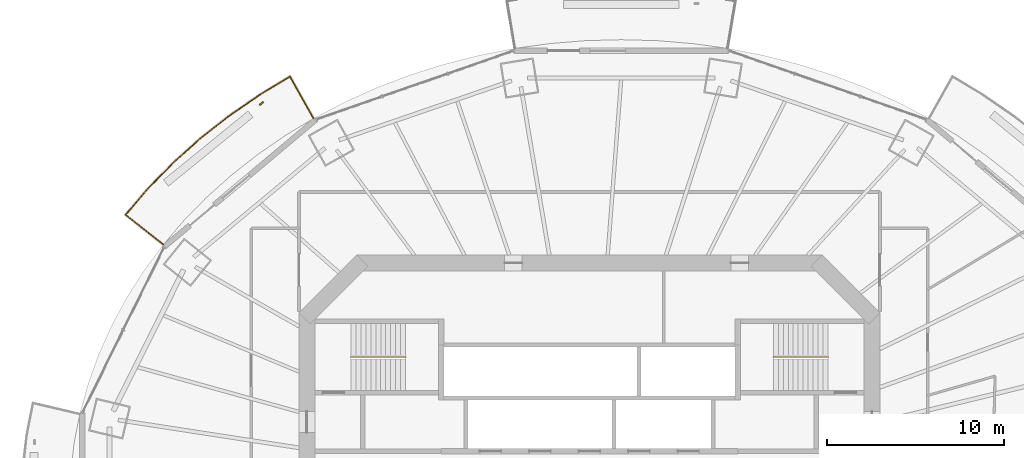
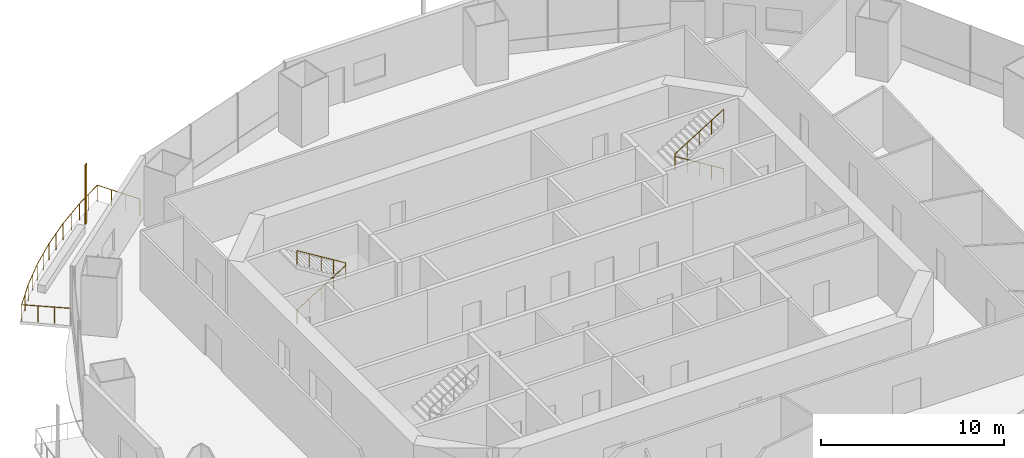
# One storey, part 17 of 20: 3 railings, 1 shading device.
"""IFC4 building model written with IfcOpenShell, lengths in metres."""

from ifc_helpers import new_model, si_unit, direction, frame, origin, origin_2d, place, context, subcontext, project, spatial, rectangle, circle, extrude, material, material_profile, profile_set, type_object, element, save


model = new_model("IFC4")

# Units and contexts
model_context = context("Model", 3, precision=1e-05, world=origin(), true_north=direction((0.0, 1.0)))
body_context = subcontext(model_context, "Body", "Model", "MODEL_VIEW")
ifc_project = project(units=[si_unit("LENGTHUNIT", "METRE"), si_unit("AREAUNIT", "SQUARE_METRE"), si_unit("VOLUMEUNIT", "CUBIC_METRE"), si_unit("PLANEANGLEUNIT", "RADIAN"), si_unit("MASSUNIT", "GRAM", prefix="KILO")], contexts=[model_context])

# Site, building, storey
site_placement = place(None, origin())
site = spatial("IfcSite", under=ifc_project, at=site_placement, CompositionType="ELEMENT")
building_placement = place(site_placement, origin())
building = spatial("IfcBuilding", under=site, at=building_placement, Name="Marenthal Gate Tower", CompositionType="ELEMENT")
storey_placement = place(building_placement, frame((0.0, 0.0, 219.14990234375)))
storey = spatial("IfcBuildingStorey", under=building, at=storey_placement, Name="L48", CompositionType="ELEMENT", Elevation=219.14990234375)

# Railings
ifc_material_1 = material(Name="Stainless steel", Category="steel")
railing_type_1 = type_object("IfcRailingType", Name="Balcony guard 1100", PredefinedType="GUARDRAIL", material=ifc_material_1)
railing_1_placement = place(storey_placement, frame((-24.133544921875, 14.04638671875, 0.0)))
element("IfcRailing", 1, at=railing_1_placement, inside=storey, type_object=railing_type_1, Name="Balcony guard L48 bay 6", PredefinedType="GUARDRAIL", context=body_context, shape_type="SweptSolid", body=[
    extrude(circle(Radius=0.02392578125, at=origin_2d()), frame((0.0, 0.0, 1.076171875), z_axis=(-0.782856051736, 0.622030871786, -0.01462862965), x_axis=(-0.622097438779, -0.78293982953, 0.0)), (0.0, 0.0, 1.0), 2.720458984375),
    extrude(circle(Radius=0.02392578125, at=origin_2d()), frame((-2.129638671875, 1.692138671875, 1.0361328125), z_axis=(0.650003821806, 0.759930938729, 0.0), x_axis=(-0.759930938729, 0.650003821806, 0.0)), (0.0, 0.0, 1.0), 1.941162109375),
    extrude(circle(Radius=0.02392578125, at=origin_2d()), frame((-0.867919921875, 3.167236328125, 1.0361328125), z_axis=(0.698852162548, 0.715266142707, 0.0), x_axis=(-0.715266142707, 0.698852162548, 0.0)), (0.0, 0.0, 1.0), 2.037841796875),
    extrude(circle(Radius=0.02392578125, at=origin_2d()), frame((0.55615234375, 4.624755859375, 1.0361328125), z_axis=(0.744380056443, 0.667756191712, 0.0), x_axis=(-0.667756191712, 0.744380056443, 0.0)), (0.0, 0.0, 1.0), 2.05517578125),
    extrude(circle(Radius=0.02392578125, at=origin_2d()), frame((2.0859375, 5.9970703125, 1.0361328125), z_axis=(0.78593395674, 0.618310452477, 0.0), x_axis=(-0.618310452477, 0.78593395674, 0.0)), (0.0, 0.0, 1.0), 2.072509765625),
    extrude(circle(Radius=0.02392578125, at=origin_2d()), frame((3.71484375, 7.278564453125, 1.0361328125), z_axis=(0.823267382134, 0.56765378314, 0.0), x_axis=(-0.56765378314, 0.823267382134, 0.0)), (0.0, 0.0, 1.0), 2.08984375),
    extrude(circle(Radius=0.02392578125, at=origin_2d()), frame((5.435302734375, 8.46484375, 1.0361328125), z_axis=(0.856107698036, 0.516797454873, 0.0), x_axis=(-0.516797454873, 0.856107698036, 0.0)), (0.0, 0.0, 1.0), 2.026123046875),
    extrude(circle(Radius=0.02392578125, at=origin_2d()), frame((7.169921875, 9.511962890625, 1.0361328125), z_axis=(0.489761297228, -0.871733824441, 0.014629116996), x_axis=(0.871827119757, 0.489813712809, 0.0)), (0.0, 0.0, 1.0), 2.72021484375),
    extrude(circle(Radius=0.02099609375, at=origin_2d()), origin(), (0.0, 0.0, 1.0), 1.052001953125),
    extrude(circle(Radius=0.02099609375, at=origin_2d()), frame((-0.7099609375, 0.56396484375, -0.01318359375)), (0.0, 0.0, 1.0), 1.052001953125),
    extrude(circle(Radius=0.02099609375, at=origin_2d()), frame((-1.419677734375, 1.128173828125, -0.026611328125)), (0.0, 0.0, 1.0), 1.052001953125),
    extrude(circle(Radius=0.02099609375, at=origin_2d()), frame((-2.129638671875, 1.692138671875, -0.039794921875)), (0.0, 0.0, 1.0), 1.052001953125),
    extrude(circle(Radius=0.02099609375, at=origin_2d()), frame((-1.498779296875, 2.4296875, -0.039794921875)), (0.0, 0.0, 1.0), 1.052001953125),
    extrude(circle(Radius=0.02099609375, at=origin_2d()), frame((-0.867919921875, 3.167236328125, -0.039794921875)), (0.0, 0.0, 1.0), 1.052001953125),
    extrude(circle(Radius=0.02099609375, at=origin_2d()), frame((-0.15576171875, 3.89599609375, -0.039794921875)), (0.0, 0.0, 1.0), 1.052001953125),
    extrude(circle(Radius=0.02099609375, at=origin_2d()), frame((0.55615234375, 4.624755859375, -0.039794921875)), (0.0, 0.0, 1.0), 1.052001953125),
    extrude(circle(Radius=0.02099609375, at=origin_2d()), frame((1.321044921875, 5.31103515625, -0.039794921875)), (0.0, 0.0, 1.0), 1.052001953125),
    extrude(circle(Radius=0.02099609375, at=origin_2d()), frame((2.0859375, 5.9970703125, -0.039794921875)), (0.0, 0.0, 1.0), 1.052001953125),
    extrude(circle(Radius=0.02099609375, at=origin_2d()), frame((2.900390625, 6.6376953125, -0.039794921875)), (0.0, 0.0, 1.0), 1.052001953125),
    extrude(circle(Radius=0.02099609375, at=origin_2d()), frame((3.71484375, 7.278564453125, -0.039794921875)), (0.0, 0.0, 1.0), 1.052001953125),
    extrude(circle(Radius=0.02099609375, at=origin_2d()), frame((4.5751953125, 7.87158203125, -0.039794921875)), (0.0, 0.0, 1.0), 1.052001953125),
    extrude(circle(Radius=0.02099609375, at=origin_2d()), frame((5.435302734375, 8.46484375, -0.039794921875)), (0.0, 0.0, 1.0), 1.052001953125),
    extrude(circle(Radius=0.02099609375, at=origin_2d()), frame((6.302734375, 8.98828125, -0.039794921875)), (0.0, 0.0, 1.0), 1.052001953125),
    extrude(circle(Radius=0.02099609375, at=origin_2d()), frame((7.169921875, 9.511962890625, -0.039794921875)), (0.0, 0.0, 1.0), 1.052001953125),
    extrude(circle(Radius=0.02099609375, at=origin_2d()), frame((7.614013671875, 8.721435546875, -0.026611328125)), (0.0, 0.0, 1.0), 1.052001953125),
    extrude(circle(Radius=0.02099609375, at=origin_2d()), frame((8.05810546875, 7.93115234375, -0.01318359375)), (0.0, 0.0, 1.0), 1.052001953125),
    extrude(circle(Radius=0.02099609375, at=origin_2d()), frame((8.502197265625, 7.140625, 0.0)), (0.0, 0.0, 1.0), 1.052001953125),
])
ifc_material_2 = material(Name="Stainless steel", Category="steel")
railing_type_2 = type_object("IfcRailingType", Name="Stair handrail", PredefinedType="HANDRAIL", material=ifc_material_2)
railing_2_placement = place(storey_placement, frame((-13.5, 7.675048828125, 0.173095703125)))
element("IfcRailing", 2, at=railing_2_placement, inside=storey, type_object=railing_type_2, Name="Handrail ST1", PredefinedType="HANDRAIL", context=body_context, shape_type="SweptSolid", body=[
    extrude(circle(Radius=0.0224609375, at=origin_2d()), frame((0.0, 0.0, 0.927490234375), z_axis=(0.850835241893, 0.0, 0.525432575268), x_axis=(0.0, 1.0, 0.0)), (0.0, 0.0, 1.0), 3.6201171875),
    extrude(circle(Radius=0.0224609375, at=origin_2d()), frame((3.080078125, 0.0, 2.82958984375), z_axis=(0.0, 0.0, 1.0), x_axis=(1.0, 0.0, 0.0)), (0.0, 0.0, 1.0), 0.1728515625),
    extrude(circle(Radius=0.0224609375, at=origin_2d()), frame((3.080078125, 0.0, 3.00244140625), z_axis=(-0.850835241893, 0.0, 0.525432575268), x_axis=(0.0, -1.0, 0.0)), (0.0, 0.0, 1.0), 3.6201171875),
    extrude(circle(Radius=0.02001953125, at=origin_2d()), origin(), (0.0, 0.0, 1.0), 0.905029296875),
    extrude(circle(Radius=0.02001953125, at=origin_2d()), frame((0.77001953125, 0.0, 0.4755859375)), (0.0, 0.0, 1.0), 0.905029296875),
    extrude(circle(Radius=0.02001953125, at=origin_2d()), frame((1.5400390625, 0.0, 0.951171875)), (0.0, 0.0, 1.0), 0.905029296875),
    extrude(circle(Radius=0.02001953125, at=origin_2d()), frame((2.31005859375, 0.0, 1.426513671875)), (0.0, 0.0, 1.0), 0.905029296875),
    extrude(circle(Radius=0.02001953125, at=origin_2d()), frame((3.080078125, 0.0, 1.902099609375)), (0.0, 0.0, 1.0), 0.905029296875),
    extrude(circle(Radius=0.02001953125, at=origin_2d()), frame((3.080078125, 0.0, 2.074951171875)), (0.0, 0.0, 1.0), 0.905029296875),
    extrude(circle(Radius=0.02001953125, at=origin_2d()), frame((2.31005859375, 0.0, 2.550537109375)), (0.0, 0.0, 1.0), 0.905029296875),
    extrude(circle(Radius=0.02001953125, at=origin_2d()), frame((1.5400390625, 0.0, 3.02587890625)), (0.0, 0.0, 1.0), 0.905029296875),
    extrude(circle(Radius=0.02001953125, at=origin_2d()), frame((0.77001953125, 0.0, 3.50146484375)), (0.0, 0.0, 1.0), 0.905029296875),
    extrude(circle(Radius=0.02001953125, at=origin_2d()), frame((0.0, 0.0, 3.97705078125)), (0.0, 0.0, 1.0), 0.905029296875),
])
railing_3_placement = place(storey_placement, frame((13.5, 7.675048828125, 0.173095703125)))
element("IfcRailing", 3, at=railing_3_placement, inside=storey, type_object=railing_type_2, Name="Handrail ST3", PredefinedType="HANDRAIL", context=body_context, shape_type="SweptSolid", body=[
    extrude(circle(Radius=0.0224609375, at=origin_2d()), frame((0.0, 0.0, 0.927490234375), z_axis=(-0.850835241893, 0.0, 0.525432575268), x_axis=(0.0, -1.0, 0.0)), (0.0, 0.0, 1.0), 3.6201171875),
    extrude(circle(Radius=0.0224609375, at=origin_2d()), frame((-3.080078125, 0.0, 2.82958984375), z_axis=(0.0, 0.0, 1.0), x_axis=(1.0, 0.0, 0.0)), (0.0, 0.0, 1.0), 0.1728515625),
    extrude(circle(Radius=0.0224609375, at=origin_2d()), frame((-3.080078125, 0.0, 3.00244140625), z_axis=(0.850835241893, 0.0, 0.525432575268), x_axis=(0.0, 1.0, 0.0)), (0.0, 0.0, 1.0), 3.6201171875),
    extrude(circle(Radius=0.02001953125, at=origin_2d()), origin(), (0.0, 0.0, 1.0), 0.905029296875),
    extrude(circle(Radius=0.02001953125, at=origin_2d()), frame((-0.77001953125, 0.0, 0.4755859375)), (0.0, 0.0, 1.0), 0.905029296875),
    extrude(circle(Radius=0.02001953125, at=origin_2d()), frame((-1.5400390625, 0.0, 0.951171875)), (0.0, 0.0, 1.0), 0.905029296875),
    extrude(circle(Radius=0.02001953125, at=origin_2d()), frame((-2.31005859375, 0.0, 1.426513671875)), (0.0, 0.0, 1.0), 0.905029296875),
    extrude(circle(Radius=0.02001953125, at=origin_2d()), frame((-3.080078125, 0.0, 1.902099609375)), (0.0, 0.0, 1.0), 0.905029296875),
    extrude(circle(Radius=0.02001953125, at=origin_2d()), frame((-3.080078125, 0.0, 2.074951171875)), (0.0, 0.0, 1.0), 0.905029296875),
    extrude(circle(Radius=0.02001953125, at=origin_2d()), frame((-2.31005859375, 0.0, 2.550537109375)), (0.0, 0.0, 1.0), 0.905029296875),
    extrude(circle(Radius=0.02001953125, at=origin_2d()), frame((-1.5400390625, 0.0, 3.02587890625)), (0.0, 0.0, 1.0), 0.905029296875),
    extrude(circle(Radius=0.02001953125, at=origin_2d()), frame((-0.77001953125, 0.0, 3.50146484375)), (0.0, 0.0, 1.0), 0.905029296875),
    extrude(circle(Radius=0.02001953125, at=origin_2d()), frame((0.0, 0.0, 3.97705078125)), (0.0, 0.0, 1.0), 0.905029296875),
])

# Shading device
ifc_material_3 = material(Name="Terracotta", Category="masonry")
ifc_material_profile = material_profile(ifc_material_3, rectangle(XDim=0.25, YDim=0.080078125, at=origin_2d()), Name="Terracotta baguette 250x80")
ifc_profile_set = profile_set([ifc_material_profile], Name="Terracotta")
shading_device_type = type_object("IfcShadingDeviceType", Name="Terracotta BAGUETTE SCREEN 250x80", PredefinedType="USERDEFINED", material=ifc_profile_set)
shading_device_placement = place(storey_placement, frame((-18.57275390625, 22.03759765625, -0.039794921875), z_axis=(0.0, 0.0, 1.0), x_axis=(-0.765627996549, -0.643283585131, 0.0)))
element("IfcShadingDevice", 4, at=shading_device_placement, inside=storey, type_object=shading_device_type, Name="Terracotta BAGUETTE L48 bay 6L", ObjectType="BAGUETTE SCREEN", PredefinedType="USERDEFINED", context=body_context, shape_type="SweptSolid", body=[
    extrude(rectangle(XDim=0.25, YDim=0.080078125, at=origin_2d()), origin(), (0.0, 0.0, 1.0), 3.969970703125),
])

save(model, "model.ifc")
